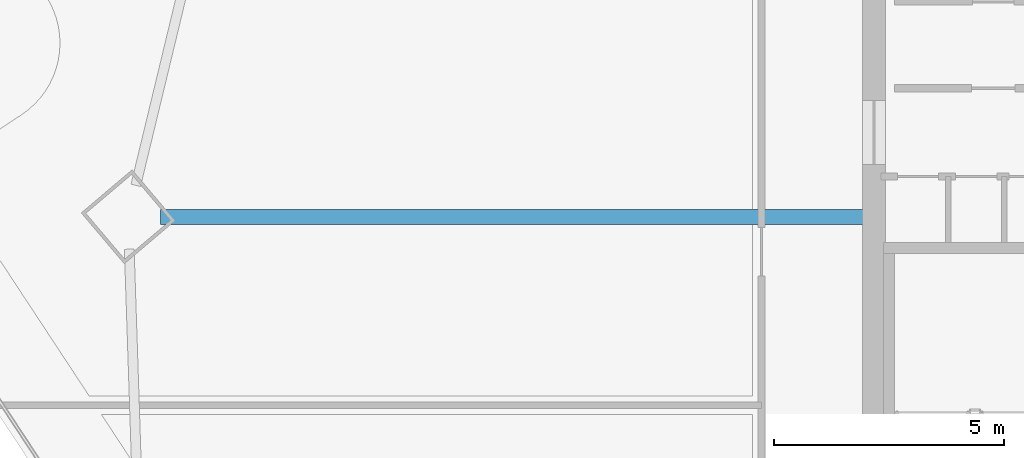
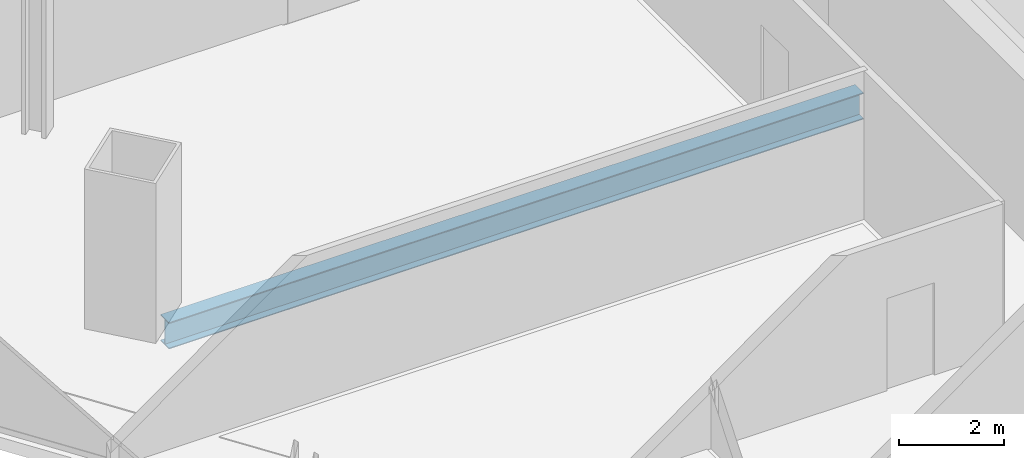
# One storey, part 12 of 29: 1 beam.
"""IFC4 building model written with IfcOpenShell, lengths in metres."""

from ifc_helpers import new_model, si_unit, direction, frame, origin, origin_2d, place, context, subcontext, project, spatial, i_section, extrude, material, material_profile, profile_set, type_object, element, save


model = new_model("IFC4")

# Units and contexts
model_context = context("Model", 3, precision=1e-05, world=origin(), true_north=direction((0.0, 1.0)))
body_context = subcontext(model_context, "Body", "Model", "MODEL_VIEW")
ifc_project = project(units=[si_unit("LENGTHUNIT", "METRE"), si_unit("AREAUNIT", "SQUARE_METRE"), si_unit("VOLUMEUNIT", "CUBIC_METRE"), si_unit("PLANEANGLEUNIT", "RADIAN"), si_unit("MASSUNIT", "GRAM", prefix="KILO")], contexts=[model_context])

# Site, building, storey
site_placement = place(None, origin())
site = spatial("IfcSite", under=ifc_project, at=site_placement, CompositionType="ELEMENT")
building_placement = place(site_placement, origin())
building = spatial("IfcBuilding", under=site, at=building_placement, Name="Haldenkirk Collegiate Tower", CompositionType="ELEMENT")
storey_placement = place(building_placement, frame((0.0, 0.0, 140.699951171875)))
storey = spatial("IfcBuildingStorey", under=building, at=storey_placement, Name="L34", CompositionType="ELEMENT", Elevation=140.699951171875)

# Beam
ifc_material = material(Name="Steel ASTM A992 Grade 50", Category="steel")
ifc_material_profile = material_profile(ifc_material, i_section(OverallWidth=0.324951171875, OverallDepth=0.615966796875, WebThickness=0.013916015625, FlangeThickness=0.021484375, at=origin_2d()), Name="W24X117")
ifc_profile_set = profile_set([ifc_material_profile], Name="Steel ASTM A992 Grade 50")
beam_type = type_object("IfcBeamType", Name="BM-GIRDER-W24X117", PredefinedType="BEAM", material=ifc_profile_set)
beam_placement = place(storey_placement, frame((11.466064453125, 27.103759765625, -0.597900390625), z_axis=(1.0, 0.0, 0.0), x_axis=(0.0, 1.0, 0.0)))
element("IfcBeam", 1, at=beam_placement, inside=storey, type_object=beam_type, Name="L34 primary floor girder 04", PredefinedType="BEAM", context=body_context, shape_type="SweptSolid", body=[
    extrude(i_section(OverallWidth=0.324951171875, OverallDepth=0.615966796875, WebThickness=0.013916015625, FlangeThickness=0.021484375, at=origin_2d()), origin(), (0.0, 0.0, 1.0), 15.303955078125),
])

save(model, "model.ifc")
